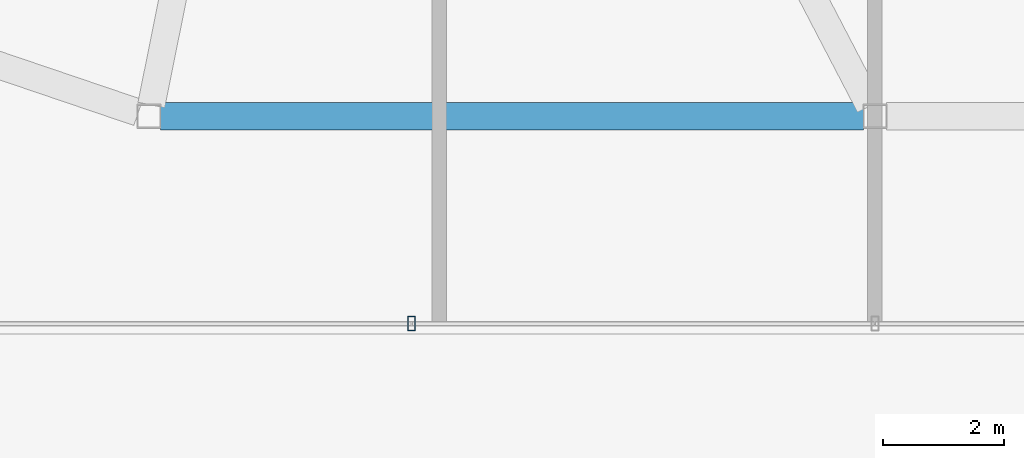
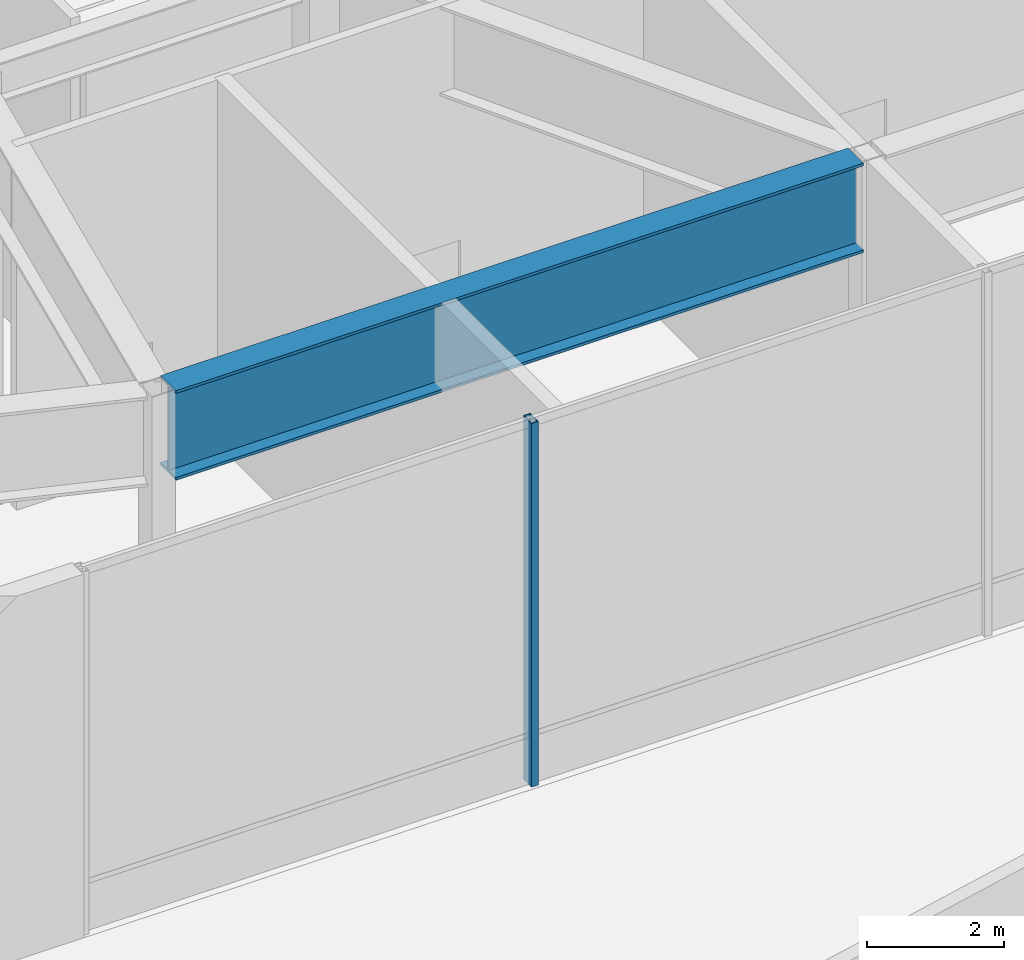
# One storey, part 3 of 25: 1 beam, 1 member, 1 element without a shape of its own.
"""IFC4 building model written with IfcOpenShell, lengths in metres."""

import ifcopenshell
import ifcopenshell.guid

model = None  # the IFC model being written
_history = None  # IfcOwnerHistory: only IFC2X3 demands one
_inside = {}  # id of a spatial element -> (the spatial element, [elements in it])
_under = {}  # id of a project, library or spatial element -> (it, [spatial elements below it])
_declared = {}  # id of a project -> (the project, [libraries it declares])
_typed = {}  # id of a type object -> (the type object, [elements of that type])
_made_of = {}  # id of a material, layer set ... -> (it, [elements and type objects made of it])


def new_model(schema):
    """Start an empty IFC model of exactly this schema.

    Asked for "IFC4X3", IfcOpenShell would pick the latest addendum, in which some entities
    have other attributes; the version numbers below select the first issue.
    IFC2X3 requires an IfcOwnerHistory on every rooted entity: one is made here for all.
    """
    global model, _history
    if schema == "IFC4X3":
        model = ifcopenshell.file(schema_version=(4, 3, 0, 0))
    else:
        model = ifcopenshell.file(schema=schema)
    _inside.clear()
    _under.clear()
    _declared.clear()
    _typed.clear()
    _made_of.clear()
    _history = None
    if model.schema == "IFC2X3":
        org = make("IfcOrganization", Name="unknown")
        user = make(
            "IfcPersonAndOrganization",
            ThePerson=make("IfcPerson", FamilyName="unknown"),
            TheOrganization=org,
        )
        app = make(
            "IfcApplication",
            ApplicationDeveloper=org,
            Version="unknown",
            ApplicationFullName="unknown",
            ApplicationIdentifier="unknown",
        )
        _history = make(
            "IfcOwnerHistory",
            OwningUser=user,
            OwningApplication=app,
            ChangeAction="ADDED",
            CreationDate=0,
        )
    return model


def make(cls, **values):
    """One entity of the class cls with the attributes given. An attribute that is None is left unset."""
    return model.create_entity(
        cls, **{name: value for name, value in values.items() if value is not None}
    )


def rooted(cls, **values):
    """An entity with a GlobalId (a new one), such as an element, a storey or a relation."""
    return make(cls, GlobalId=ifcopenshell.guid.new(), OwnerHistory=_history, **values)


def si_unit(unit_type, name, prefix=None):
    """IfcSIUnit, for example si_unit("LENGTHUNIT", "METRE", prefix="MILLI")."""
    return make("IfcSIUnit", UnitType=unit_type, Prefix=prefix, Name=name)


def assignment(units):
    """IfcUnitAssignment: the units of a project."""
    return None if units is None else make("IfcUnitAssignment", Units=units)


def point(xyz):
    """IfcCartesianPoint."""
    return None if xyz is None else make("IfcCartesianPoint", Coordinates=xyz)


def direction(xyz):
    """IfcDirection."""
    return None if xyz is None else make("IfcDirection", DirectionRatios=xyz)


def frame(location, z_axis=None, x_axis=None):
    """IfcAxis2Placement3D, a coordinate frame: its origin and axes. An axis left out is left unset."""
    return make(
        "IfcAxis2Placement3D",
        Location=point(location),
        Axis=direction(z_axis),
        RefDirection=direction(x_axis),
    )


def frame_2d(location, x_axis=None):
    """IfcAxis2Placement2D, a coordinate frame in the plane: its origin and x axis."""
    return make(
        "IfcAxis2Placement2D", Location=point(location), RefDirection=direction(x_axis)
    )


def origin():
    """The frame at (0, 0, 0) with its axes left unset."""
    return frame((0.0, 0.0, 0.0))


def origin_2d():
    """The frame at (0, 0) in the plane with its x axis left unset."""
    return frame_2d((0.0, 0.0))


def place(relative_to, where):
    """IfcLocalPlacement: puts the frame where relative to a parent placement (None: the world)."""
    return make(
        "IfcLocalPlacement", PlacementRelTo=relative_to, RelativePlacement=where
    )


def context(
    kind, dimensions, precision=None, world=None, true_north=None, identifier=None
):
    """IfcGeometricRepresentationContext, for example the 3D "Model" context."""
    return make(
        "IfcGeometricRepresentationContext",
        ContextIdentifier=identifier,
        ContextType=kind,
        CoordinateSpaceDimension=dimensions,
        Precision=precision,
        WorldCoordinateSystem=world,
        TrueNorth=true_north,
    )


def subcontext(parent, identifier, kind, view, scale=None):
    """IfcGeometricRepresentationSubContext, for example "Body" below "Model"."""
    return make(
        "IfcGeometricRepresentationSubContext",
        ContextIdentifier=identifier,
        ContextType=kind,
        ParentContext=parent,
        TargetScale=scale,
        TargetView=view,
    )


def project(units=None, contexts=None):
    """IfcProject with its units and contexts."""
    return rooted(
        "IfcProject",
        Name="project",
        RepresentationContexts=contexts,
        UnitsInContext=assignment(units),
    )


def spatial(cls, under=None, at=None, **own):
    """A site, building, storey or space (cls), placed at a placement, below another one or the project."""
    s = rooted(cls, ObjectPlacement=at, **own)
    if under is not None:
        _under.setdefault(under.id(), (under, []))[1].append(s)
    return s


def profile(cls, at=None, kind="AREA", **sizes):
    """A parametric profile (cls). Its sizes go by their IFC names, for example OverallWidth=200.0."""
    return make(cls, ProfileType=kind, Position=at, **sizes)


def hollow_rectangle(**sizes):
    """IfcRectangleHollowProfileDef."""
    return profile("IfcRectangleHollowProfileDef", **sizes)


def i_section(**sizes):
    """IfcIShapeProfileDef."""
    return profile("IfcIShapeProfileDef", **sizes)


def extrude(swept, where, along, depth):
    """IfcExtrudedAreaSolid: the profile swept, set in the frame where, extruded along a direction by depth."""
    return make(
        "IfcExtrudedAreaSolid",
        SweptArea=swept,
        Position=where,
        ExtrudedDirection=direction(along),
        Depth=depth,
    )


def shape(context_of_items, identifier, shape_type, items):
    """IfcShapeRepresentation: the items that make up one representation, for example the "Body"."""
    return make(
        "IfcShapeRepresentation",
        ContextOfItems=context_of_items,
        RepresentationIdentifier=identifier,
        RepresentationType=shape_type,
        Items=items,
    )


def material(Name=None, Category=None):
    """IfcMaterial."""
    return make("IfcMaterial", Name=Name, Category=Category)


def layer(
    of_material, thickness, ventilated=None, Name=None, Category=None, Priority=None
):
    """IfcMaterialLayer: one layer of a wall or slab, of a material (None: an air gap)."""
    return make(
        "IfcMaterialLayer",
        Material=of_material,
        LayerThickness=thickness,
        IsVentilated=ventilated,
        Name=Name,
        Category=Category,
        Priority=Priority,
    )


def layer_set(layers, Name=None):
    """IfcMaterialLayerSet."""
    return make("IfcMaterialLayerSet", MaterialLayers=layers, LayerSetName=Name)


def material_profile(
    of_material, cross_section, Name=None, Category=None, Priority=None
):
    """IfcMaterialProfile: a cross section and its material."""
    return make(
        "IfcMaterialProfile",
        Name=Name,
        Material=of_material,
        Profile=cross_section,
        Priority=Priority,
        Category=Category,
    )


def profile_set(profiles, Name=None, composite=None):
    """IfcMaterialProfileSet."""
    return make(
        "IfcMaterialProfileSet",
        Name=Name,
        MaterialProfiles=profiles,
        CompositeProfile=composite,
    )


def made_of(thing, what):
    """Note that an element or type object is made of a material, layer set ...; save() writes the relation."""
    if what is not None:
        _made_of.setdefault(what.id(), (what, []))[1].append(thing)
    return thing


def type_object(cls, material=None, **own):
    """A type object (cls), such as IfcWallType, which elements share."""
    return made_of(rooted(cls, **own), material)


def element(
    cls,
    number,
    at=None,
    inside=None,
    cuts=None,
    type_object=None,
    material=None,
    context=None,
    identifier="Body",
    shape_type=None,
    held_by="IfcProductDefinitionShape",
    body=None,
    shapes=None,
    **own,
):
    """One element of the class cls, such as IfcWall. Its Tag is "e" and its number.

    at: its placement. inside: the storey or other place that contains it. cuts: it is an
    opening in that element (IfcRelVoidsElement). A single representation is given by context,
    identifier, shape_type and body (its items); several are given by shapes. held_by: the class
    of the entity that holds the representations. save() writes the other relations.
    """
    e = rooted(cls, Tag="e%d" % number, ObjectPlacement=at, **own)
    if body is not None:
        shapes = [shape(context, identifier, shape_type, body)]
    if shapes is not None:
        e.Representation = make(held_by, Representations=shapes)
    if inside is not None:
        _inside.setdefault(inside.id(), (inside, []))[1].append(e)
    if cuts is not None:
        rooted(
            "IfcRelVoidsElement", RelatingBuildingElement=cuts, RelatedOpeningElement=e
        )
    if type_object is not None:
        _typed.setdefault(type_object.id(), (type_object, []))[1].append(e)
    return made_of(e, material)


def aggregate(whole, parts):
    """IfcRelAggregates: a whole, such as a stair, and the parts it consists of."""
    return rooted("IfcRelAggregates", RelatingObject=whole, RelatedObjects=parts)


def save(model, path):
    """Write the relations noted so far, then the file.

    IfcRelAggregates (storeys below a building ...), IfcRelContainedInSpatialStructure (elements
    in a storey), IfcRelDefinesByType, IfcRelAssociatesMaterial and IfcRelDeclares: one each for
    every whole, place, type object, material and project.
    """
    for whole, parts in _under.values():
        aggregate(whole, parts)
    for where, things in _inside.values():
        rooted(
            "IfcRelContainedInSpatialStructure",
            RelatedElements=things,
            RelatingStructure=where,
        )
    for kind, things in _typed.values():
        rooted("IfcRelDefinesByType", RelatedObjects=things, RelatingType=kind)
    for what, things in _made_of.values():
        rooted("IfcRelAssociatesMaterial", RelatedObjects=things, RelatingMaterial=what)
    for by, libraries in _declared.values():
        rooted("IfcRelDeclares", RelatingContext=by, RelatedDefinitions=libraries)
    model.write(path)


model = new_model("IFC4")

# Units and contexts
model_context = context("Model", 3, precision=1e-05, world=origin(), true_north=direction((0.0, 1.0)))
body_context = subcontext(model_context, "Body", "Model", "MODEL_VIEW")
ifc_project = project(units=[si_unit("LENGTHUNIT", "METRE"), si_unit("AREAUNIT", "SQUARE_METRE"), si_unit("VOLUMEUNIT", "CUBIC_METRE"), si_unit("PLANEANGLEUNIT", "RADIAN"), si_unit("MASSUNIT", "GRAM", prefix="KILO")], contexts=[model_context])

# Site, building, storey
site_placement = place(None, origin())
site = spatial("IfcSite", under=ifc_project, at=site_placement, CompositionType="ELEMENT")
building_placement = place(site_placement, origin())
building = spatial("IfcBuilding", under=site, at=building_placement, Name="Tavrogorsk Clinical Tower", CompositionType="ELEMENT")
storey_placement = place(building_placement, frame((0.0, 0.0, 333.0)))
storey = spatial("IfcBuildingStorey", under=building, at=storey_placement, Name="L78", CompositionType="ELEMENT", Elevation=333.0)

# Curtain wall, member
ifc_material_1 = material(Name="Anodised aluminium and triple IGU glazing", Category="aluminium")
ifc_layer = layer(ifc_material_1, 0.179931640625)
ifc_layer_set = layer_set([ifc_layer], Name="Anodised aluminium and triple IGU glazing")
curtain_wall_type = type_object("IfcCurtainWallType", Name="CW6_TmdLantern", PredefinedType="NOTDEFINED", material=ifc_layer_set)
curtain_wall_placement = place(storey_placement, origin())
curtain_wall = element("IfcCurtainWall", 1, at=curtain_wall_placement, inside=storey, type_object=curtain_wall_type, Name="L78 Curtain Wall CW-L78-TMD-8", PredefinedType="NOTDEFINED")
ifc_material_2 = material(Name="Anodised aluminium alloy AW-6060", Category="aluminium")
ifc_material_profile_1 = material_profile(ifc_material_2, hollow_rectangle(XDim=0.1201171875, YDim=0.239990234375, WallThickness=0.008056640625, at=origin_2d()), Name="RHS-240x120x8")
ifc_profile_set_1 = profile_set([ifc_material_profile_1], Name="Anodised aluminium alloy AW-6060")
member_type = type_object("IfcMemberType", Name="CwMullion_240x120", PredefinedType="MULLION", material=ifc_profile_set_1)
member_placement = place(storey_placement, frame((-7.659912109375, -18.22998046875, 0.0), z_axis=(0.0, 0.0, 1.0), x_axis=(-1.0, 0.0, 0.0)))
member = element("IfcMember", 2, at=member_placement, type_object=member_type, Name="CW-L78-TMD-8 Mullion 4", PredefinedType="MULLION", context=body_context, shape_type="SweptSolid", body=[
    extrude(hollow_rectangle(XDim=0.1201171875, YDim=0.239990234375, WallThickness=0.008056640625, at=origin_2d()), origin(), (0.0, 0.0, 1.0), 6.5),
])
aggregate(curtain_wall, [member])

# Beam
ifc_material_3 = material(Name="Structural steel S440", Category="steel")
ifc_material_profile_2 = material_profile(ifc_material_3, i_section(OverallWidth=0.449951171875, OverallDepth=1.60009765625, WebThickness=0.031982421875, FlangeThickness=0.050048828125, at=origin_2d()), Name="DK-1600x450x32x50")
ifc_profile_set_2 = profile_set([ifc_material_profile_2], Name="Structural steel S440")
beam_type = type_object("IfcBeamType", Name="TransferGirder_DK1600", PredefinedType="USERDEFINED", material=ifc_profile_set_2)
beam_placement = place(storey_placement, frame((-11.81005859375, -14.800048828125, 5.699951171875), z_axis=(1.0, 0.0, 0.0), x_axis=(0.0, 1.0, 0.0)))
element("IfcBeam", 3, at=beam_placement, inside=storey, type_object=beam_type, Name="L78 Crown Spandrel Beam 01", ObjectType="GIRDER", PredefinedType="USERDEFINED", context=body_context, shape_type="SweptSolid", body=[
    extrude(i_section(OverallWidth=0.449951171875, OverallDepth=1.60009765625, WebThickness=0.031982421875, FlangeThickness=0.050048828125, at=origin_2d()), origin(), (0.0, 0.0, 1.0), 11.6201171875),
])

save(model, "model.ifc")
